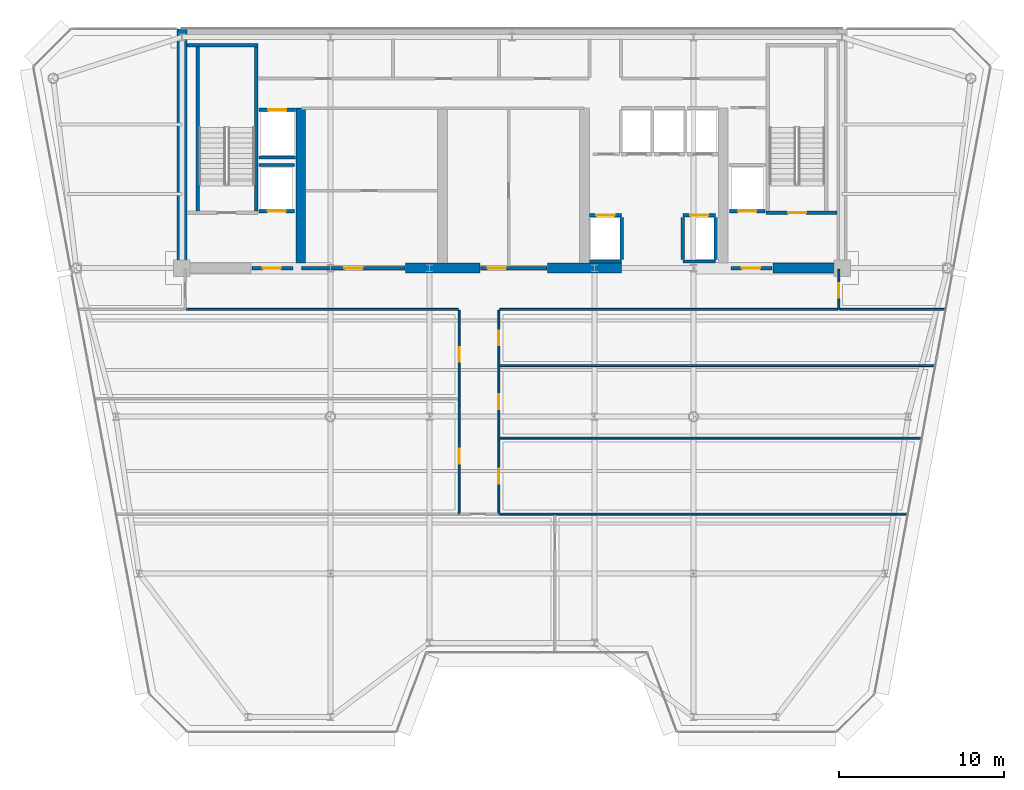
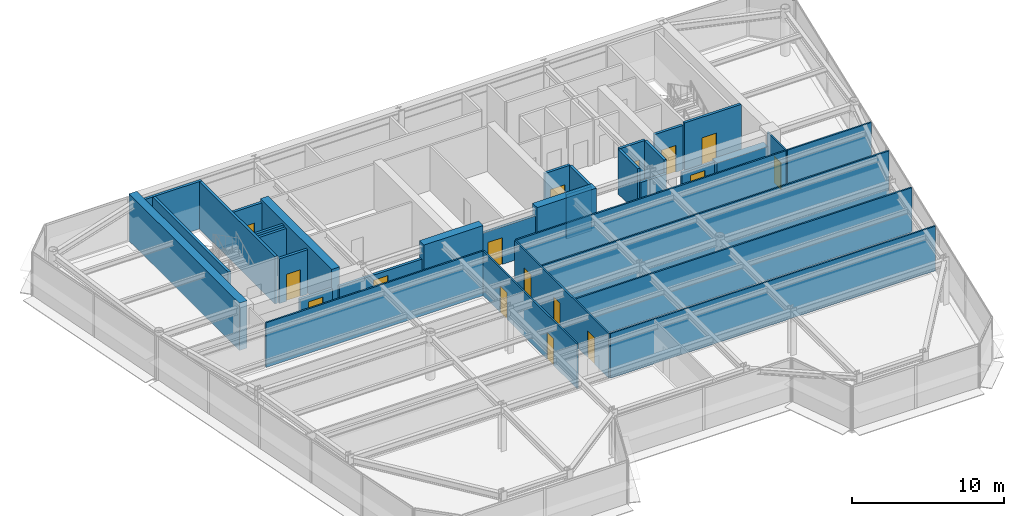
# One storey, part 11 of 16: 34 walls, 16 doors, 16 openings.
"""IFC4 building model written with IfcOpenShell, lengths in metres."""

from ifc_helpers import new_model, si_unit, direction, frame, frame_2d, origin, place, context, subcontext, project, spatial, rectangle, extrude, source, transform, mapped, material, layer, layer_set, type_object, element, fill, save


model = new_model("IFC4")

# Units and contexts
model_context = context("Model", 3, precision=1e-05, world=origin(), true_north=direction((0.0, 1.0)))
body_context = subcontext(model_context, "Body", "Model", "MODEL_VIEW")
ifc_project = project(units=[si_unit("LENGTHUNIT", "METRE"), si_unit("AREAUNIT", "SQUARE_METRE"), si_unit("VOLUMEUNIT", "CUBIC_METRE"), si_unit("PLANEANGLEUNIT", "RADIAN"), si_unit("MASSUNIT", "GRAM", prefix="KILO")], contexts=[model_context])

# Site, building, storey
site_placement = place(None, origin())
site = spatial("IfcSite", under=ifc_project, at=site_placement, CompositionType="ELEMENT")
building_placement = place(site_placement, origin())
building = spatial("IfcBuilding", under=site, at=building_placement, Name="Vaeldorn Concourse Tower", CompositionType="ELEMENT")
storey_placement = place(building_placement, frame((0.0, 0.0, 227.0)))
storey = spatial("IfcBuildingStorey", under=building, at=storey_placement, Name="L58", CompositionType="ELEMENT", Elevation=227.0)

# Walls
ifc_material_1 = material(Name="Concrete C50/60", Category="concrete")
ifc_layer_1 = layer(ifc_material_1, 0.60009765625)
ifc_layer_set_1 = layer_set([ifc_layer_1], Name="Concrete C50/60")
wall_type_1 = type_object("IfcWallType", Name="WL-CORE-600", PredefinedType="SHEAR", material=ifc_layer_set_1)
wall_1_placement = place(storey_placement, frame((14.0, 36.5, 0.0), z_axis=(0.0, 0.0, 1.0), x_axis=(0.0, 1.0, 0.0)))
element("IfcWall", 1, at=wall_1_placement, inside=storey, type_object=wall_type_1, Name="Rear Core Shear Wall L58 W1", PredefinedType="SHEAR", context=body_context, shape_type="SweptSolid", body=[
    extrude(rectangle(XDim=14.5, YDim=0.60009765625, at=frame_2d((7.25, 0.0))), origin(), (0.0, 0.0, 1.0), 3.800048828125),
])
for number, where, z_axis, x_axis, name in (
    (2, (27.550048828125, 36.5, 0.0), (0.0, 0.0, 1.0), (1.0, 0.0, 0.0), "Rear Core Shear Wall L58 S2"),
    (3, (36.14990234375, 36.5, 0.0), (0.0, 0.0, 1.0), (1.0, 0.0, 0.0), "Rear Core Shear Wall L58 S3"),
):
    element("IfcWall", number, at=place(storey_placement, frame(where, z_axis=z_axis, x_axis=x_axis)), inside=storey, type_object=wall_type_1, Name=name, PredefinedType="SHEAR", context=body_context, shape_type="SweptSolid", body=[
        extrude(rectangle(XDim=4.5, YDim=0.60009765625, at=frame_2d((2.25, 0.0))), origin(), (0.0, 0.0, 1.0), 3.800048828125),
    ])
wall_2_placement = place(storey_placement, frame((49.800048828125, 36.5, 0.0), z_axis=(0.0, 0.0, 1.0), x_axis=(1.0, 0.0, 0.0)))
element("IfcWall", 4, at=wall_2_placement, inside=storey, type_object=wall_type_1, Name="Rear Core Shear Wall L58 S4", PredefinedType="SHEAR", context=body_context, shape_type="SweptSolid", body=[
    extrude(rectangle(XDim=3.8798828125, YDim=0.60009765625, at=frame_2d((1.93994140625, 0.0))), origin(), (0.0, 0.0, 1.0), 2.580078125),
])
wall_3_placement = place(storey_placement, frame((21.199951171875, 36.820068359375, 0.0), z_axis=(0.0, 0.0, 1.0), x_axis=(0.0, 1.0, 0.0)))
element("IfcWall", 5, at=wall_3_placement, inside=storey, type_object=wall_type_1, Name="Rear Core Shear Wall L58 M1", PredefinedType="SHEAR", context=body_context, shape_type="SweptSolid", body=[
    extrude(rectangle(XDim=9.3798828125, YDim=0.60009765625, at=frame_2d((4.68994140625, 0.0))), origin(), (0.0, 0.0, 1.0), 3.800048828125),
])
ifc_material_2 = material(Name="Gypsum Board Partition", Category="gypsum")
ifc_layer_2 = layer(ifc_material_2, 0.1201171875)
ifc_layer_set_2 = layer_set([ifc_layer_2], Name="Gypsum Board Partition")
wall_type_2 = type_object("IfcWallType", Name="WL-PART-120", PredefinedType="PARTITIONING", material=ifc_layer_set_2)
wall_4_placement = place(storey_placement, frame((14.260009765625, 34.0, 0.0), z_axis=(0.0, 0.0, 1.0), x_axis=(1.0, 0.0, 0.0)))
element("IfcWall", 6, at=wall_4_placement, inside=storey, type_object=wall_type_2, Name="Interior Wall PW-L58-C3SW", PredefinedType="PARTITIONING", context=body_context, shape_type="SweptSolid", body=[
    extrude(rectangle(XDim=16.47998046875, YDim=0.1201171875, at=frame_2d((8.239990234375, 0.0))), origin(), (0.0, 0.0, 1.0), 3.580078125),
])
wall_5_placement = place(storey_placement, frame((33.260009765625, 34.0, 0.0), z_axis=(0.0, 0.0, 1.0), x_axis=(1.0, 0.0, 0.0)))
element("IfcWall", 7, at=wall_5_placement, inside=storey, type_object=wall_type_2, Name="Interior Wall PW-L58-C3SE", PredefinedType="PARTITIONING", context=body_context, shape_type="SweptSolid", body=[
    extrude(rectangle(XDim=20.47998046875, YDim=0.1201171875, at=frame_2d((10.239990234375, 0.0))), origin(), (0.0, 0.0, 1.0), 3.580078125),
])

# Wall, opening, door
wall_6_placement = place(storey_placement, frame((53.800048828125, 34.0, 0.0), z_axis=(0.0, 0.0, 1.0), x_axis=(0.0, 1.0, 0.0)))
wall_6 = element("IfcWall", 8, at=wall_6_placement, inside=storey, type_object=wall_type_2, Name="Interior Wall PW-L58-C3E", PredefinedType="PARTITIONING", context=body_context, shape_type="SweptSolid", body=[
    extrude(rectangle(XDim=2.43994140625, YDim=0.1201171875, at=frame_2d((1.219970703125, 0.0))), origin(), (0.0, 0.0, 1.0), 3.580078125),
])
opening_1_placement = place(wall_6_placement, frame((0.699951171875, 0.0, 0.0)))
opening_1 = element("IfcOpeningElement", 9, at=opening_1_placement, cuts=wall_6, Name="Opening D-03", PredefinedType="OPENING", context=body_context, shape_type="SweptSolid", body=[
    extrude(rectangle(XDim=0.89990234375, YDim=2.14990234375, at=frame_2d((0.449951171875, 1.074951171875))), frame((0.0, 0.070068359375, 0.0), z_axis=(0.0, -1.0, 0.0), x_axis=(1.0, 0.0, 0.0)), (0.0, 0.0, 1.0), 0.14013671875),
])
ifc_material_3 = material(Name="Acoustic Bronze-Framed Glass Door", Category="glass")
door_type_1 = type_object("IfcDoorType", Name="DR-INT-900", OperationType="NOTDEFINED", PredefinedType="DOOR", material=ifc_material_3)
shared_shape_1 = source(origin(), body_context, "Body", "SweptSolid", [
    extrude(rectangle(XDim=0.89990234375, YDim=2.14990234375, at=frame_2d((0.449951171875, 1.074951171875))), frame((0.0, 0.02490234375, 0.0), z_axis=(0.0, -1.0, 0.0), x_axis=(1.0, 0.0, 0.0)), (0.0, 0.0, 1.0), 0.050048828125),
])
door_1_placement = place(opening_1_placement, origin())
door_1 = element("IfcDoor", 10, at=door_1_placement, inside=storey, type_object=door_type_1, Name="Interior Door DR-L58-Z3NE", OperationType="SINGLE_SWING_RIGHT", OverallHeight=2.14990234375, OverallWidth=0.89990234375, PredefinedType="DOOR", context=body_context, shape_type="MappedRepresentation", body=[
    mapped(shared_shape_1, transform((0.0, 0.0, 0.0), scale=1.0)),
])
fill(opening_1, door_1)

# Wall, openings, doors
wall_7_placement = place(storey_placement, frame((30.800048828125, 21.60009765625, 0.0), z_axis=(0.0, 0.0, 1.0), x_axis=(0.0, 1.0, 0.0)))
wall_7 = element("IfcWall", 11, at=wall_7_placement, inside=storey, type_object=wall_type_2, Name="Interior Wall PW-L58-CSPW", PredefinedType="PARTITIONING", context=body_context, shape_type="SweptSolid", body=[
    extrude(rectangle(XDim=12.33984375, YDim=0.1201171875, at=frame_2d((6.169921875, 0.0))), origin(), (0.0, 0.0, 1.0), 3.580078125),
])
opening_2_placement = place(wall_7_placement, frame((3.050048828125, 0.0, 0.0)))
opening_2 = element("IfcOpeningElement", 12, at=opening_2_placement, cuts=wall_7, Name="Opening D-03", PredefinedType="OPENING", context=body_context, shape_type="SweptSolid", body=[
    extrude(rectangle(XDim=0.89990234375, YDim=2.14990234375, at=frame_2d((0.449951171875, 1.074951171875))), frame((0.0, 0.070068359375, 0.0), z_axis=(0.0, -1.0, 0.0), x_axis=(1.0, 0.0, 0.0)), (0.0, 0.0, 1.0), 0.14013671875),
])
opening_3_placement = place(wall_7_placement, frame((9.219970703125, 0.0, 0.0)))
opening_3 = element("IfcOpeningElement", 13, at=opening_3_placement, cuts=wall_7, Name="Opening D-03", PredefinedType="OPENING", context=body_context, shape_type="SweptSolid", body=[
    extrude(rectangle(XDim=0.89990234375, YDim=2.14990234375, at=frame_2d((0.449951171875, 1.074951171875))), frame((0.0, 0.070068359375, 0.0), z_axis=(0.0, -1.0, 0.0), x_axis=(1.0, 0.0, 0.0)), (0.0, 0.0, 1.0), 0.14013671875),
])
door_2_placement = place(opening_2_placement, origin())
door_2 = element("IfcDoor", 14, at=door_2_placement, inside=storey, type_object=door_type_1, Name="Interior Door DR-L58-Z3W1", OperationType="SINGLE_SWING_LEFT", OverallHeight=2.14990234375, OverallWidth=0.89990234375, PredefinedType="DOOR", context=body_context, shape_type="MappedRepresentation", body=[
    mapped(shared_shape_1, transform((0.0, 0.0, 0.0), scale=1.0)),
])
fill(opening_2, door_2)
door_3_placement = place(opening_3_placement, origin())
door_3 = element("IfcDoor", 15, at=door_3_placement, inside=storey, type_object=door_type_1, Name="Interior Door DR-L58-Z3W2", OperationType="SINGLE_SWING_RIGHT", OverallHeight=2.14990234375, OverallWidth=0.89990234375, PredefinedType="DOOR", context=body_context, shape_type="MappedRepresentation", body=[
    mapped(shared_shape_1, transform((0.0, 0.0, 0.0), scale=1.0)),
])
fill(opening_3, door_3)

wall_8_placement = place(storey_placement, frame((33.199951171875, 21.60009765625, 0.0), z_axis=(0.0, 0.0, 1.0), x_axis=(0.0, 1.0, 0.0)))
wall_8 = element("IfcWall", 16, at=wall_8_placement, inside=storey, type_object=wall_type_2, Name="Interior Wall PW-L58-CSPE", PredefinedType="PARTITIONING", context=body_context, shape_type="SweptSolid", body=[
    extrude(rectangle(XDim=12.33984375, YDim=0.1201171875, at=frame_2d((6.169921875, 0.0))), origin(), (0.0, 0.0, 1.0), 3.580078125),
])
opening_4_placement = place(wall_8_placement, frame((1.85009765625, 0.0, 0.0)))
opening_4 = element("IfcOpeningElement", 17, at=opening_4_placement, cuts=wall_8, Name="Opening D-03", PredefinedType="OPENING", context=body_context, shape_type="SweptSolid", body=[
    extrude(rectangle(XDim=0.89990234375, YDim=2.14990234375, at=frame_2d((0.449951171875, 1.074951171875))), frame((0.0, 0.070068359375, 0.0), z_axis=(0.0, -1.0, 0.0), x_axis=(1.0, 0.0, 0.0)), (0.0, 0.0, 1.0), 0.14013671875),
])
opening_5_placement = place(wall_8_placement, frame((6.35009765625, 0.0, 0.0)))
opening_5 = element("IfcOpeningElement", 18, at=opening_5_placement, cuts=wall_8, Name="Opening D-03", PredefinedType="OPENING", context=body_context, shape_type="SweptSolid", body=[
    extrude(rectangle(XDim=0.89990234375, YDim=2.14990234375, at=frame_2d((0.449951171875, 1.074951171875))), frame((0.0, 0.070068359375, 0.0), z_axis=(0.0, -1.0, 0.0), x_axis=(1.0, 0.0, 0.0)), (0.0, 0.0, 1.0), 0.14013671875),
])
opening_6_placement = place(wall_8_placement, frame((10.219970703125, 0.0, 0.0)))
opening_6 = element("IfcOpeningElement", 19, at=opening_6_placement, cuts=wall_8, Name="Opening D-03", PredefinedType="OPENING", context=body_context, shape_type="SweptSolid", body=[
    extrude(rectangle(XDim=0.89990234375, YDim=2.14990234375, at=frame_2d((0.449951171875, 1.074951171875))), frame((0.0, 0.070068359375, 0.0), z_axis=(0.0, -1.0, 0.0), x_axis=(1.0, 0.0, 0.0)), (0.0, 0.0, 1.0), 0.14013671875),
])
door_4_placement = place(opening_4_placement, origin())
door_4 = element("IfcDoor", 20, at=door_4_placement, inside=storey, type_object=door_type_1, Name="Interior Door DR-L58-Z3E1", OperationType="SINGLE_SWING_RIGHT", OverallHeight=2.14990234375, OverallWidth=0.89990234375, PredefinedType="DOOR", context=body_context, shape_type="MappedRepresentation", body=[
    mapped(shared_shape_1, transform((0.0, 0.0, 0.0), scale=1.0)),
])
fill(opening_4, door_4)
door_5_placement = place(opening_5_placement, origin())
door_5 = element("IfcDoor", 21, at=door_5_placement, inside=storey, type_object=door_type_1, Name="Interior Door DR-L58-Z3E2", OperationType="SINGLE_SWING_LEFT", OverallHeight=2.14990234375, OverallWidth=0.89990234375, PredefinedType="DOOR", context=body_context, shape_type="MappedRepresentation", body=[
    mapped(shared_shape_1, transform((0.0, 0.0, 0.0), scale=1.0)),
])
fill(opening_5, door_5)
door_6_placement = place(opening_6_placement, origin())
door_6 = element("IfcDoor", 22, at=door_6_placement, inside=storey, type_object=door_type_1, Name="Interior Door DR-L58-Z3E3", OperationType="SINGLE_SWING_RIGHT", OverallHeight=2.14990234375, OverallWidth=0.89990234375, PredefinedType="DOOR", context=body_context, shape_type="MappedRepresentation", body=[
    mapped(shared_shape_1, transform((0.0, 0.0, 0.0), scale=1.0)),
])
fill(opening_6, door_6)

# Walls
wall_9_placement = place(storey_placement, frame((53.860107421875, 34.0, 0.0), z_axis=(0.0, 0.0, 1.0), x_axis=(1.0, 0.0, 0.0)))
element("IfcWall", 23, at=wall_9_placement, inside=storey, type_object=wall_type_2, Name="Interior Wall PW-L58-Z3NEB", PredefinedType="PARTITIONING", context=body_context, shape_type="SweptSolid", body=[
    extrude(rectangle(XDim=6.380859375, YDim=0.1201171875, at=frame_2d((3.1904296875, 0.0))), origin(), (0.0, 0.0, 1.0), 3.580078125),
])
wall_10_placement = place(storey_placement, frame((33.260009765625, 26.199951171875, 0.0), z_axis=(0.0, 0.0, 1.0), x_axis=(1.0, 0.0, 0.0)))
element("IfcWall", 24, at=wall_10_placement, inside=storey, type_object=wall_type_2, Name="Interior Wall PW-L58-Z3EY1", PredefinedType="PARTITIONING", context=body_context, shape_type="SweptSolid", body=[
    extrude(rectangle(XDim=25.5380859375, YDim=0.1201171875, at=frame_2d((12.76904296875, 0.0))), origin(), (0.0, 0.0, 1.0), 3.580078125),
])
wall_11_placement = place(storey_placement, frame((33.260009765625, 30.60009765625, 0.0), z_axis=(0.0, 0.0, 1.0), x_axis=(1.0, 0.0, 0.0)))
element("IfcWall", 25, at=wall_11_placement, inside=storey, type_object=wall_type_2, Name="Interior Wall PW-L58-Z3EY2", PredefinedType="PARTITIONING", context=body_context, shape_type="SweptSolid", body=[
    extrude(rectangle(XDim=26.35205078125, YDim=0.1201171875, at=frame_2d((13.176025390625, 0.0))), origin(), (0.0, 0.0, 1.0), 3.580078125),
])
wall_12_placement = place(storey_placement, frame((33.260009765625, 21.60009765625, 0.0), z_axis=(0.0, 0.0, 1.0), x_axis=(1.0, 0.0, 0.0)))
element("IfcWall", 26, at=wall_12_placement, inside=storey, type_object=wall_type_2, Name="Interior Wall PW-L58-Z3SEL", PredefinedType="PARTITIONING", context=body_context, shape_type="SweptSolid", body=[
    extrude(rectangle(XDim=24.687255859375, YDim=0.1201171875, at=frame_2d((12.34375, 0.0))), origin(), (0.0, 0.0, 1.0), 3.580078125),
])
ifc_layer_3 = layer(ifc_material_1, 0.199951171875)
ifc_layer_set_3 = layer_set([ifc_layer_3], Name="Concrete C50/60")
wall_type_3 = type_object("IfcWallType", Name="WL-SHAFT-200", PredefinedType="SOLIDWALL", material=ifc_layer_set_3)
wall_13_placement = place(storey_placement, frame((14.300048828125, 50.0, 0.0), z_axis=(0.0, 0.0, 1.0), x_axis=(1.0, 0.0, 0.0)))
element("IfcWall", 27, at=wall_13_placement, inside=storey, type_object=wall_type_3, Name="Stair Shaft Wall CW-L58-ST-1-N", PredefinedType="SOLIDWALL", context=body_context, shape_type="SweptSolid", body=[
    extrude(rectangle(XDim=4.300048828125, YDim=0.199951171875, at=frame_2d((2.14990234375, 0.0))), origin(), (0.0, 0.0, 1.0), 3.800048828125),
])
for number, where, z_axis, x_axis, name in (
    (28, (14.949951171875, 39.9599609375, 0.0), (0.0, 0.0, 1.0), (0.0, 1.0, 0.0), "Stair Shaft Wall CW-L58-ST-1-W"),
    (29, (18.5, 39.9599609375, 0.0), (0.0, 0.0, 1.0), (0.0, 1.0, 0.0), "Stair Shaft Wall CW-L58-ST-1-E"),
):
    element("IfcWall", number, at=place(storey_placement, frame(where, z_axis=z_axis, x_axis=x_axis)), inside=storey, type_object=wall_type_3, Name=name, PredefinedType="SOLIDWALL", context=body_context, shape_type="SweptSolid", body=[
        extrude(rectangle(XDim=9.929931640625, YDim=0.199951171875, at=frame_2d((4.96484375, 0.0))), origin(), (0.0, 0.0, 1.0), 3.800048828125),
    ])

# Wall, opening, door
wall_14_placement = place(storey_placement, frame((49.39990234375, 39.85009765625, 0.0), z_axis=(0.0, 0.0, 1.0), x_axis=(1.0, 0.0, 0.0)))
wall_14 = element("IfcWall", 30, at=wall_14_placement, inside=storey, type_object=wall_type_3, Name="Stair Shaft Wall CW-L58-ST-2-S", PredefinedType="SOLIDWALL", context=body_context, shape_type="SweptSolid", body=[
    extrude(rectangle(XDim=4.300048828125, YDim=0.199951171875, at=frame_2d((2.14990234375, 0.0))), origin(), (0.0, 0.0, 1.0), 3.800048828125),
])
opening_7_placement = place(wall_14_placement, frame((1.324951171875, 0.0, 0.0)))
opening_7 = element("IfcOpeningElement", 31, at=opening_7_placement, cuts=wall_14, Name="Opening D-01", PredefinedType="OPENING", context=body_context, shape_type="SweptSolid", body=[
    extrude(rectangle(XDim=1.10009765625, YDim=2.14990234375, at=frame_2d((0.550048828125, 1.074951171875))), frame((0.0, 0.10986328125, 0.0), z_axis=(0.0, -1.0, 0.0), x_axis=(1.0, 0.0, 0.0)), (0.0, 0.0, 1.0), 0.219970703125),
])
ifc_material_4 = material(Name="Fire-Rated Timber and Steel Leaf", Category="steel")
door_type_2 = type_object("IfcDoorType", Name="DR-FD60-1100", OperationType="NOTDEFINED", PredefinedType="DOOR", material=ifc_material_4)
shared_shape_2 = source(origin(), body_context, "Body", "SweptSolid", [
    extrude(rectangle(XDim=1.10009765625, YDim=2.14990234375, at=frame_2d((0.550048828125, 1.074951171875))), frame((0.0, 0.02490234375, 0.0), z_axis=(0.0, -1.0, 0.0), x_axis=(1.0, 0.0, 0.0)), (0.0, 0.0, 1.0), 0.050048828125),
])
door_7_placement = place(opening_7_placement, origin())
door_7 = element("IfcDoor", 32, at=door_7_placement, inside=storey, type_object=door_type_2, Name="Interior Door DR-L58-ST-2", OperationType="SINGLE_SWING_RIGHT", OverallHeight=2.14990234375, OverallWidth=1.10009765625, PredefinedType="DOOR", context=body_context, shape_type="MappedRepresentation", body=[
    mapped(shared_shape_2, transform((0.0, 0.0, 0.0), scale=1.0)),
])
fill(opening_7, door_7)

wall_15_placement = place(storey_placement, frame((18.25, 36.5, 0.0), z_axis=(0.0, 0.0, 1.0), x_axis=(1.0, 0.0, 0.0)))
wall_15 = element("IfcWall", 33, at=wall_15_placement, inside=storey, type_object=wall_type_3, Name="Interior Wall CW-L58-FF1S", PredefinedType="SOLIDWALL", context=body_context, shape_type="SweptSolid", body=[
    extrude(rectangle(XDim=2.469970703125, YDim=0.199951171875, at=frame_2d((1.23486328125, 0.0))), origin(), (0.0, 0.0, 1.0), 2.570068359375),
])
opening_8_placement = place(wall_15_placement, frame((0.64990234375, 0.0, 0.0)))
opening_8 = element("IfcOpeningElement", 34, at=opening_8_placement, cuts=wall_15, Name="Opening D-01", PredefinedType="OPENING", context=body_context, shape_type="SweptSolid", body=[
    extrude(rectangle(XDim=1.10009765625, YDim=2.14990234375, at=frame_2d((0.550048828125, 1.074951171875))), frame((0.0, 0.10986328125, 0.0), z_axis=(0.0, -1.0, 0.0), x_axis=(1.0, 0.0, 0.0)), (0.0, 0.0, 1.0), 0.219970703125),
])
door_8_placement = place(opening_8_placement, origin())
door_8 = element("IfcDoor", 35, at=door_8_placement, inside=storey, type_object=door_type_2, Name="Interior Door DR-L58-FF1E", OperationType="SINGLE_SWING_RIGHT", OverallHeight=2.14990234375, OverallWidth=1.10009765625, PredefinedType="DOOR", context=body_context, shape_type="MappedRepresentation", body=[
    mapped(shared_shape_2, transform((0.0, 0.0, 0.0), scale=1.0)),
])
fill(opening_8, door_8)

wall_16_placement = place(storey_placement, frame((47.280029296875, 36.5, 0.0), z_axis=(0.0, 0.0, 1.0), x_axis=(1.0, 0.0, 0.0)))
wall_16 = element("IfcWall", 36, at=wall_16_placement, inside=storey, type_object=wall_type_3, Name="Interior Wall CW-L58-FF2S", PredefinedType="SOLIDWALL", context=body_context, shape_type="SweptSolid", body=[
    extrude(rectangle(XDim=2.469970703125, YDim=0.199951171875, at=frame_2d((1.23486328125, 0.0))), origin(), (0.0, 0.0, 1.0), 2.570068359375),
])
opening_9_placement = place(wall_16_placement, frame((0.64990234375, 0.0, 0.0)))
opening_9 = element("IfcOpeningElement", 37, at=opening_9_placement, cuts=wall_16, Name="Opening D-01", PredefinedType="OPENING", context=body_context, shape_type="SweptSolid", body=[
    extrude(rectangle(XDim=1.10009765625, YDim=2.14990234375, at=frame_2d((0.550048828125, 1.074951171875))), frame((0.0, 0.10986328125, 0.0), z_axis=(0.0, -1.0, 0.0), x_axis=(1.0, 0.0, 0.0)), (0.0, 0.0, 1.0), 0.219970703125),
])
door_9_placement = place(opening_9_placement, origin())
door_9 = element("IfcDoor", 38, at=door_9_placement, inside=storey, type_object=door_type_2, Name="Interior Door DR-L58-FF2W", OperationType="SINGLE_SWING_LEFT", OverallHeight=2.14990234375, OverallWidth=1.10009765625, PredefinedType="DOOR", context=body_context, shape_type="MappedRepresentation", body=[
    mapped(shared_shape_2, transform((0.0, 0.0, 0.0), scale=1.0)),
])
fill(opening_9, door_9)

wall_17_placement = place(storey_placement, frame((38.7099609375, 39.699951171875, 0.0), z_axis=(0.0, 0.0, 1.0), x_axis=(1.0, 0.0, 0.0)))
wall_17 = element("IfcWall", 39, at=wall_17_placement, inside=storey, type_object=wall_type_3, Name="Interior Wall CW-L58-LF-LF-13", PredefinedType="SOLIDWALL", context=body_context, shape_type="SweptSolid", body=[
    extrude(rectangle(XDim=1.919921875, YDim=0.199951171875, at=frame_2d((0.9599609375, 0.0))), origin(), (0.0, 0.0, 1.0), 3.580078125),
])
opening_10_placement = place(wall_17_placement, frame((0.409912109375, 0.0, 0.0)))
opening_10 = element("IfcOpeningElement", 40, at=opening_10_placement, cuts=wall_17, Name="Opening LD-1", PredefinedType="OPENING", context=body_context, shape_type="SweptSolid", body=[
    extrude(rectangle(XDim=1.10009765625, YDim=2.14990234375, at=frame_2d((0.550048828125, 1.074951171875))), frame((0.0, 0.10986328125, 0.0), z_axis=(0.0, -1.0, 0.0), x_axis=(1.0, 0.0, 0.0)), (0.0, 0.0, 1.0), 0.219970703125),
])
ifc_material_5 = material(Name="Anodised Bronze Aluminium", Category="aluminium")
door_type_3 = type_object("IfcDoorType", Name="DR-LIFT-SLIDE-1100", OperationType="DOUBLE_DOOR_SLIDING", PredefinedType="DOOR", material=ifc_material_5)
door_10_placement = place(opening_10_placement, origin())
door_10 = element("IfcDoor", 41, at=door_10_placement, inside=storey, type_object=door_type_3, Name="Lift Landing Door LD-L58-LF-13", OperationType="DOUBLE_DOOR_SLIDING", OverallHeight=2.14990234375, OverallWidth=1.10009765625, PredefinedType="DOOR", context=body_context, shape_type="MappedRepresentation", body=[
    mapped(shared_shape_2, transform((0.0, 0.0, 0.0), scale=1.0)),
])
fill(opening_10, door_10)

# Walls
wall_18_placement = place(storey_placement, frame((38.7099609375, 36.89990234375, 0.0), z_axis=(0.0, 0.0, 1.0), x_axis=(1.0, 0.0, 0.0)))
element("IfcWall", 42, at=wall_18_placement, inside=storey, type_object=wall_type_3, Name="Interior Wall CW-L58-LFB-LF-13", PredefinedType="SOLIDWALL", context=body_context, shape_type="SweptSolid", body=[
    extrude(rectangle(XDim=1.919921875, YDim=0.199951171875, at=frame_2d((0.9599609375, 0.0))), origin(), (0.0, 0.0, 1.0), 3.580078125),
])
wall_19_placement = place(storey_placement, frame((40.64990234375, 37.02001953125, 0.0), z_axis=(0.0, 0.0, 1.0), x_axis=(0.0, 1.0, 0.0)))
element("IfcWall", 43, at=wall_19_placement, inside=storey, type_object=wall_type_3, Name="Interior Wall CW-L58-LFE-LF-13", PredefinedType="SOLIDWALL", context=body_context, shape_type="SweptSolid", body=[
    extrude(rectangle(XDim=2.56005859375, YDim=0.199951171875, at=frame_2d((1.280029296875, 0.0))), origin(), (0.0, 0.0, 1.0), 3.580078125),
])

# Wall, opening, door
wall_20_placement = place(storey_placement, frame((44.3701171875, 39.699951171875, 0.0), z_axis=(0.0, 0.0, 1.0), x_axis=(1.0, 0.0, 0.0)))
wall_20 = element("IfcWall", 44, at=wall_20_placement, inside=storey, type_object=wall_type_3, Name="Interior Wall CW-L58-LF-LF-14", PredefinedType="SOLIDWALL", context=body_context, shape_type="SweptSolid", body=[
    extrude(rectangle(XDim=1.9599609375, YDim=0.199951171875, at=frame_2d((0.97998046875, 0.0))), origin(), (0.0, 0.0, 1.0), 3.580078125),
])
opening_11_placement = place(wall_20_placement, frame((0.429931640625, 0.0, 0.0)))
opening_11 = element("IfcOpeningElement", 45, at=opening_11_placement, cuts=wall_20, Name="Opening LD-1", PredefinedType="OPENING", context=body_context, shape_type="SweptSolid", body=[
    extrude(rectangle(XDim=1.10009765625, YDim=2.14990234375, at=frame_2d((0.550048828125, 1.074951171875))), frame((0.0, 0.10986328125, 0.0), z_axis=(0.0, -1.0, 0.0), x_axis=(1.0, 0.0, 0.0)), (0.0, 0.0, 1.0), 0.219970703125),
])
door_11_placement = place(opening_11_placement, origin())
door_11 = element("IfcDoor", 46, at=door_11_placement, inside=storey, type_object=door_type_3, Name="Lift Landing Door LD-L58-LF-14", OperationType="DOUBLE_DOOR_SLIDING", OverallHeight=2.14990234375, OverallWidth=1.10009765625, PredefinedType="DOOR", context=body_context, shape_type="MappedRepresentation", body=[
    mapped(shared_shape_2, transform((0.0, 0.0, 0.0), scale=1.0)),
])
fill(opening_11, door_11)

# Walls
wall_21_placement = place(storey_placement, frame((44.3701171875, 36.89990234375, 0.0), z_axis=(0.0, 0.0, 1.0), x_axis=(1.0, 0.0, 0.0)))
element("IfcWall", 47, at=wall_21_placement, inside=storey, type_object=wall_type_3, Name="Interior Wall CW-L58-LFB-LF-14", PredefinedType="SOLIDWALL", context=body_context, shape_type="SweptSolid", body=[
    extrude(rectangle(XDim=1.9599609375, YDim=0.199951171875, at=frame_2d((0.97998046875, 0.0))), origin(), (0.0, 0.0, 1.0), 2.570068359375),
])
for number, where, z_axis, x_axis, name in (
    (48, (44.35009765625, 37.02001953125, 0.0), (0.0, 0.0, 1.0), (0.0, 1.0, 0.0), "Interior Wall CW-L58-LFW-LF-14"),
    (49, (46.35009765625, 37.02001953125, 0.0), (0.0, 0.0, 1.0), (0.0, 1.0, 0.0), "Interior Wall CW-L58-LFE-LF-14"),
):
    element("IfcWall", number, at=place(storey_placement, frame(where, z_axis=z_axis, x_axis=x_axis)), inside=storey, type_object=wall_type_3, Name=name, PredefinedType="SOLIDWALL", context=body_context, shape_type="SweptSolid", body=[
        extrude(rectangle(XDim=2.56005859375, YDim=0.199951171875, at=frame_2d((1.280029296875, 0.0))), origin(), (0.0, 0.0, 1.0), 3.580078125),
    ])

# Wall, opening, door
wall_22_placement = place(storey_placement, frame((18.669921875, 46.10009765625, 0.0), z_axis=(0.0, 0.0, 1.0), x_axis=(1.0, 0.0, 0.0)))
wall_22 = element("IfcWall", 50, at=wall_22_placement, inside=storey, type_object=wall_type_3, Name="Interior Wall CW-L58-LF-LF-SV1", PredefinedType="SOLIDWALL", context=body_context, shape_type="SweptSolid", body=[
    extrude(rectangle(XDim=2.219970703125, YDim=0.199951171875, at=frame_2d((1.10986328125, 0.0))), origin(), (0.0, 0.0, 1.0), 3.580078125),
])
opening_12_placement = place(wall_22_placement, frame((0.56005859375, 0.0, 0.0)))
opening_12 = element("IfcOpeningElement", 51, at=opening_12_placement, cuts=wall_22, Name="Opening LD-1", PredefinedType="OPENING", context=body_context, shape_type="SweptSolid", body=[
    extrude(rectangle(XDim=1.10009765625, YDim=2.14990234375, at=frame_2d((0.550048828125, 1.074951171875))), frame((0.0, 0.10986328125, 0.0), z_axis=(0.0, -1.0, 0.0), x_axis=(1.0, 0.0, 0.0)), (0.0, 0.0, 1.0), 0.219970703125),
])
door_12_placement = place(opening_12_placement, origin())
door_12 = element("IfcDoor", 52, at=door_12_placement, inside=storey, type_object=door_type_3, Name="Lift Landing Door LD-L58-LF-SV1", OperationType="DOUBLE_DOOR_SLIDING", OverallHeight=2.14990234375, OverallWidth=1.10009765625, PredefinedType="DOOR", context=body_context, shape_type="MappedRepresentation", body=[
    mapped(shared_shape_2, transform((0.0, 0.0, 0.0), scale=1.0)),
])
fill(opening_12, door_12)

# Wall
wall_23_placement = place(storey_placement, frame((18.669921875, 43.199951171875, 0.0), z_axis=(0.0, 0.0, 1.0), x_axis=(1.0, 0.0, 0.0)))
element("IfcWall", 53, at=wall_23_placement, inside=storey, type_object=wall_type_3, Name="Interior Wall CW-L58-LFB-LF-SV1", PredefinedType="SOLIDWALL", context=body_context, shape_type="SweptSolid", body=[
    extrude(rectangle(XDim=2.219970703125, YDim=0.199951171875, at=frame_2d((1.10986328125, 0.0))), origin(), (0.0, 0.0, 1.0), 3.580078125),
])

# Wall, opening, door
wall_24_placement = place(storey_placement, frame((18.669921875, 39.949951171875, 0.0), z_axis=(0.0, 0.0, 1.0), x_axis=(1.0, 0.0, 0.0)))
wall_24 = element("IfcWall", 54, at=wall_24_placement, inside=storey, type_object=wall_type_3, Name="Interior Wall CW-L58-LF-LF-FF1", PredefinedType="SOLIDWALL", context=body_context, shape_type="SweptSolid", body=[
    extrude(rectangle(XDim=2.16015625, YDim=0.199951171875, at=frame_2d((1.080078125, 0.0))), origin(), (0.0, 0.0, 1.0), 3.580078125),
])
opening_13_placement = place(wall_24_placement, frame((0.530029296875, 0.0, 0.0)))
opening_13 = element("IfcOpeningElement", 55, at=opening_13_placement, cuts=wall_24, Name="Opening LD-1", PredefinedType="OPENING", context=body_context, shape_type="SweptSolid", body=[
    extrude(rectangle(XDim=1.10009765625, YDim=2.14990234375, at=frame_2d((0.550048828125, 1.074951171875))), frame((0.0, 0.10986328125, 0.0), z_axis=(0.0, -1.0, 0.0), x_axis=(1.0, 0.0, 0.0)), (0.0, 0.0, 1.0), 0.219970703125),
])
door_13_placement = place(opening_13_placement, origin())
door_13 = element("IfcDoor", 56, at=door_13_placement, inside=storey, type_object=door_type_3, Name="Lift Landing Door LD-L58-LF-FF1", OperationType="DOUBLE_DOOR_SLIDING", OverallHeight=2.14990234375, OverallWidth=1.10009765625, PredefinedType="DOOR", context=body_context, shape_type="MappedRepresentation", body=[
    mapped(shared_shape_2, transform((0.0, 0.0, 0.0), scale=1.0)),
])
fill(opening_13, door_13)

# Wall
wall_25_placement = place(storey_placement, frame((18.669921875, 42.75, 0.0), z_axis=(0.0, 0.0, 1.0), x_axis=(1.0, 0.0, 0.0)))
element("IfcWall", 57, at=wall_25_placement, inside=storey, type_object=wall_type_3, Name="Interior Wall CW-L58-LFB-LF-FF1", PredefinedType="SOLIDWALL", context=body_context, shape_type="SweptSolid", body=[
    extrude(rectangle(XDim=2.16015625, YDim=0.199951171875, at=frame_2d((1.080078125, 0.0))), origin(), (0.0, 0.0, 1.0), 3.580078125),
])

# Wall, opening, door
wall_26_placement = place(storey_placement, frame((47.169921875, 39.949951171875, 0.0), z_axis=(0.0, 0.0, 1.0), x_axis=(1.0, 0.0, 0.0)))
wall_26 = element("IfcWall", 58, at=wall_26_placement, inside=storey, type_object=wall_type_3, Name="Interior Wall CW-L58-LF-LF-FF2", PredefinedType="SOLIDWALL", context=body_context, shape_type="SweptSolid", body=[
    extrude(rectangle(XDim=2.16015625, YDim=0.199951171875, at=frame_2d((1.080078125, 0.0))), origin(), (0.0, 0.0, 1.0), 3.580078125),
])
opening_14_placement = place(wall_26_placement, frame((0.530029296875, 0.0, 0.0)))
opening_14 = element("IfcOpeningElement", 59, at=opening_14_placement, cuts=wall_26, Name="Opening LD-1", PredefinedType="OPENING", context=body_context, shape_type="SweptSolid", body=[
    extrude(rectangle(XDim=1.10009765625, YDim=2.14990234375, at=frame_2d((0.550048828125, 1.074951171875))), frame((0.0, 0.10986328125, 0.0), z_axis=(0.0, -1.0, 0.0), x_axis=(1.0, 0.0, 0.0)), (0.0, 0.0, 1.0), 0.219970703125),
])
door_14_placement = place(opening_14_placement, origin())
door_14 = element("IfcDoor", 60, at=door_14_placement, inside=storey, type_object=door_type_3, Name="Lift Landing Door LD-L58-LF-FF2", OperationType="DOUBLE_DOOR_SLIDING", OverallHeight=2.14990234375, OverallWidth=1.10009765625, PredefinedType="DOOR", context=body_context, shape_type="MappedRepresentation", body=[
    mapped(shared_shape_2, transform((0.0, 0.0, 0.0), scale=1.0)),
])
fill(opening_14, door_14)

wall_27_placement = place(storey_placement, frame((21.25, 36.5, 0.0), z_axis=(0.0, 0.0, 1.0), x_axis=(1.0, 0.0, 0.0)))
wall_27 = element("IfcWall", 61, at=wall_27_placement, inside=storey, type_object=wall_type_3, Name="Interior Wall CW-L58-R1S", PredefinedType="SOLIDWALL", context=body_context, shape_type="SweptSolid", body=[
    extrude(rectangle(XDim=6.27001953125, YDim=0.199951171875, at=frame_2d((3.135009765625, 0.0))), origin(), (0.0, 0.0, 1.0), 2.570068359375),
])
opening_15_placement = place(wall_27_placement, frame((2.60009765625, 0.0, 0.0)))
opening_15 = element("IfcOpeningElement", 62, at=opening_15_placement, cuts=wall_27, Name="Opening D-01", PredefinedType="OPENING", context=body_context, shape_type="SweptSolid", body=[
    extrude(rectangle(XDim=1.10009765625, YDim=2.14990234375, at=frame_2d((0.550048828125, 1.074951171875))), frame((0.0, 0.10986328125, 0.0), z_axis=(0.0, -1.0, 0.0), x_axis=(1.0, 0.0, 0.0)), (0.0, 0.0, 1.0), 0.219970703125),
])
door_15_placement = place(opening_15_placement, origin())
door_15 = element("IfcDoor", 63, at=door_15_placement, inside=storey, type_object=door_type_2, Name="Interior Door DR-L58-R1S", OperationType="SINGLE_SWING_LEFT", OverallHeight=2.14990234375, OverallWidth=1.10009765625, PredefinedType="DOOR", context=body_context, shape_type="MappedRepresentation", body=[
    mapped(shared_shape_2, transform((0.0, 0.0, 0.0), scale=1.0)),
])
fill(opening_15, door_15)

wall_28_placement = place(storey_placement, frame((32.080078125, 36.5, 0.0), z_axis=(0.0, 0.0, 1.0), x_axis=(1.0, 0.0, 0.0)))
wall_28 = element("IfcWall", 64, at=wall_28_placement, inside=storey, type_object=wall_type_3, Name="Interior Wall CW-L58-R2S", PredefinedType="SOLIDWALL", context=body_context, shape_type="SweptSolid", body=[
    extrude(rectangle(XDim=4.0400390625, YDim=0.199951171875, at=frame_2d((2.02001953125, 0.0))), origin(), (0.0, 0.0, 1.0), 3.02001953125),
])
opening_16_placement = place(wall_28_placement, frame((0.449951171875, 0.0, 0.0)))
opening_16 = element("IfcOpeningElement", 65, at=opening_16_placement, cuts=wall_28, Name="Opening D-01", PredefinedType="OPENING", context=body_context, shape_type="SweptSolid", body=[
    extrude(rectangle(XDim=1.10009765625, YDim=2.14990234375, at=frame_2d((0.550048828125, 1.074951171875))), frame((0.0, 0.10986328125, 0.0), z_axis=(0.0, -1.0, 0.0), x_axis=(1.0, 0.0, 0.0)), (0.0, 0.0, 1.0), 0.219970703125),
])
door_16_placement = place(opening_16_placement, origin())
door_16 = element("IfcDoor", 66, at=door_16_placement, inside=storey, type_object=door_type_2, Name="Interior Door DR-L58-R2W", OperationType="SINGLE_SWING_LEFT", OverallHeight=2.14990234375, OverallWidth=1.10009765625, PredefinedType="DOOR", context=body_context, shape_type="MappedRepresentation", body=[
    mapped(shared_shape_2, transform((0.0, 0.0, 0.0), scale=1.0)),
])
fill(opening_16, door_16)

save(model, "model.ifc")
